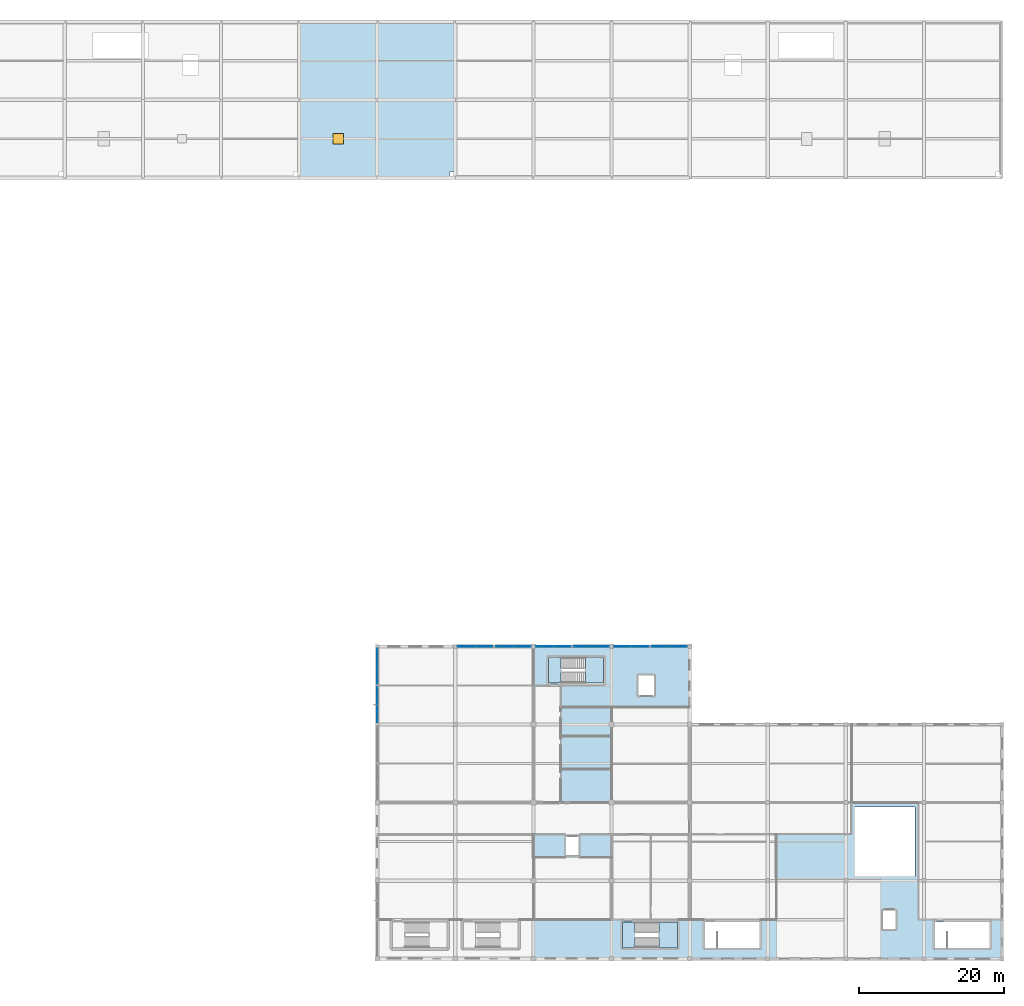
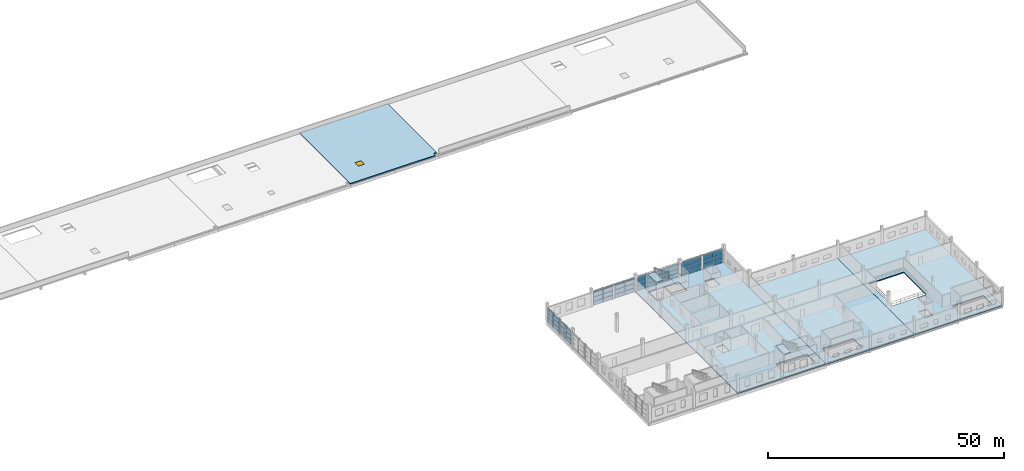
# One storey, part 12 of 24: 48 plates, 8 slabs, 1 window, 1 opening, 10 elements without a shape of their own.
"""IFC4 building model written with IfcOpenShell, lengths in metres."""

import ifcopenshell
import ifcopenshell.guid

model = None  # the IFC model being written
_history = None  # IfcOwnerHistory: only IFC2X3 demands one
_inside = {}  # id of a spatial element -> (the spatial element, [elements in it])
_under = {}  # id of a project, library or spatial element -> (it, [spatial elements below it])
_declared = {}  # id of a project -> (the project, [libraries it declares])
_typed = {}  # id of a type object -> (the type object, [elements of that type])
_made_of = {}  # id of a material, layer set ... -> (it, [elements and type objects made of it])


def new_model(schema):
    """Start an empty IFC model of exactly this schema.

    Asked for "IFC4X3", IfcOpenShell would pick the latest addendum, in which some entities
    have other attributes; the version numbers below select the first issue.
    IFC2X3 requires an IfcOwnerHistory on every rooted entity: one is made here for all.
    """
    global model, _history
    if schema == "IFC4X3":
        model = ifcopenshell.file(schema_version=(4, 3, 0, 0))
    else:
        model = ifcopenshell.file(schema=schema)
    _inside.clear()
    _under.clear()
    _declared.clear()
    _typed.clear()
    _made_of.clear()
    _history = None
    if model.schema == "IFC2X3":
        org = make("IfcOrganization", Name="unknown")
        user = make(
            "IfcPersonAndOrganization",
            ThePerson=make("IfcPerson", FamilyName="unknown"),
            TheOrganization=org,
        )
        app = make(
            "IfcApplication",
            ApplicationDeveloper=org,
            Version="unknown",
            ApplicationFullName="unknown",
            ApplicationIdentifier="unknown",
        )
        _history = make(
            "IfcOwnerHistory",
            OwningUser=user,
            OwningApplication=app,
            ChangeAction="ADDED",
            CreationDate=0,
        )
    return model


def make(cls, **values):
    """One entity of the class cls with the attributes given. An attribute that is None is left unset."""
    return model.create_entity(
        cls, **{name: value for name, value in values.items() if value is not None}
    )


def rooted(cls, **values):
    """An entity with a GlobalId (a new one), such as an element, a storey or a relation."""
    return make(cls, GlobalId=ifcopenshell.guid.new(), OwnerHistory=_history, **values)


def si_unit(unit_type, name, prefix=None):
    """IfcSIUnit, for example si_unit("LENGTHUNIT", "METRE", prefix="MILLI")."""
    return make("IfcSIUnit", UnitType=unit_type, Prefix=prefix, Name=name)


def assignment(units):
    """IfcUnitAssignment: the units of a project."""
    return None if units is None else make("IfcUnitAssignment", Units=units)


def point(xyz):
    """IfcCartesianPoint."""
    return None if xyz is None else make("IfcCartesianPoint", Coordinates=xyz)


def direction(xyz):
    """IfcDirection."""
    return None if xyz is None else make("IfcDirection", DirectionRatios=xyz)


def frame(location, z_axis=None, x_axis=None):
    """IfcAxis2Placement3D, a coordinate frame: its origin and axes. An axis left out is left unset."""
    return make(
        "IfcAxis2Placement3D",
        Location=point(location),
        Axis=direction(z_axis),
        RefDirection=direction(x_axis),
    )


def frame_2d(location, x_axis=None):
    """IfcAxis2Placement2D, a coordinate frame in the plane: its origin and x axis."""
    return make(
        "IfcAxis2Placement2D", Location=point(location), RefDirection=direction(x_axis)
    )


def origin():
    """The frame at (0, 0, 0) with its axes left unset."""
    return frame((0.0, 0.0, 0.0))


def origin_2d():
    """The frame at (0, 0) in the plane with its x axis left unset."""
    return frame_2d((0.0, 0.0))


def place(relative_to, where):
    """IfcLocalPlacement: puts the frame where relative to a parent placement (None: the world)."""
    return make(
        "IfcLocalPlacement", PlacementRelTo=relative_to, RelativePlacement=where
    )


def context(
    kind, dimensions, precision=None, world=None, true_north=None, identifier=None
):
    """IfcGeometricRepresentationContext, for example the 3D "Model" context."""
    return make(
        "IfcGeometricRepresentationContext",
        ContextIdentifier=identifier,
        ContextType=kind,
        CoordinateSpaceDimension=dimensions,
        Precision=precision,
        WorldCoordinateSystem=world,
        TrueNorth=true_north,
    )


def subcontext(parent, identifier, kind, view, scale=None):
    """IfcGeometricRepresentationSubContext, for example "Body" below "Model"."""
    return make(
        "IfcGeometricRepresentationSubContext",
        ContextIdentifier=identifier,
        ContextType=kind,
        ParentContext=parent,
        TargetScale=scale,
        TargetView=view,
    )


def project(units=None, contexts=None):
    """IfcProject with its units and contexts."""
    return rooted(
        "IfcProject",
        Name="project",
        RepresentationContexts=contexts,
        UnitsInContext=assignment(units),
    )


def spatial(cls, under=None, at=None, **own):
    """A site, building, storey or space (cls), placed at a placement, below another one or the project."""
    s = rooted(cls, ObjectPlacement=at, **own)
    if under is not None:
        _under.setdefault(under.id(), (under, []))[1].append(s)
    return s


def polyline(points):
    """IfcPolyline through the points."""
    return make("IfcPolyline", Points=[point(p) for p in points])


def profile(cls, at=None, kind="AREA", **sizes):
    """A parametric profile (cls). Its sizes go by their IFC names, for example OverallWidth=200.0."""
    return make(cls, ProfileType=kind, Position=at, **sizes)


def rectangle(**sizes):
    """IfcRectangleProfileDef."""
    return profile("IfcRectangleProfileDef", **sizes)


def outline(outer, holes=None, kind="AREA"):
    """IfcArbitraryClosedProfileDef: a profile drawn as a closed curve; with holes, ...WithVoids."""
    if holes is None:
        return make("IfcArbitraryClosedProfileDef", ProfileType=kind, OuterCurve=outer)
    return make(
        "IfcArbitraryProfileDefWithVoids",
        ProfileType=kind,
        OuterCurve=outer,
        InnerCurves=holes,
    )


def extrude(swept, where, along, depth):
    """IfcExtrudedAreaSolid: the profile swept, set in the frame where, extruded along a direction by depth."""
    return make(
        "IfcExtrudedAreaSolid",
        SweptArea=swept,
        Position=where,
        ExtrudedDirection=direction(along),
        Depth=depth,
    )


def shape(context_of_items, identifier, shape_type, items):
    """IfcShapeRepresentation: the items that make up one representation, for example the "Body"."""
    return make(
        "IfcShapeRepresentation",
        ContextOfItems=context_of_items,
        RepresentationIdentifier=identifier,
        RepresentationType=shape_type,
        Items=items,
    )


def material(Name=None, Category=None):
    """IfcMaterial."""
    return make("IfcMaterial", Name=Name, Category=Category)


def layer(
    of_material, thickness, ventilated=None, Name=None, Category=None, Priority=None
):
    """IfcMaterialLayer: one layer of a wall or slab, of a material (None: an air gap)."""
    return make(
        "IfcMaterialLayer",
        Material=of_material,
        LayerThickness=thickness,
        IsVentilated=ventilated,
        Name=Name,
        Category=Category,
        Priority=Priority,
    )


def layer_set(layers, Name=None):
    """IfcMaterialLayerSet."""
    return make("IfcMaterialLayerSet", MaterialLayers=layers, LayerSetName=Name)


def made_of(thing, what):
    """Note that an element or type object is made of a material, layer set ...; save() writes the relation."""
    if what is not None:
        _made_of.setdefault(what.id(), (what, []))[1].append(thing)
    return thing


def type_object(cls, material=None, **own):
    """A type object (cls), such as IfcWallType, which elements share."""
    return made_of(rooted(cls, **own), material)


def element(
    cls,
    number,
    at=None,
    inside=None,
    cuts=None,
    type_object=None,
    material=None,
    context=None,
    identifier="Body",
    shape_type=None,
    held_by="IfcProductDefinitionShape",
    body=None,
    shapes=None,
    **own,
):
    """One element of the class cls, such as IfcWall. Its Tag is "e" and its number.

    at: its placement. inside: the storey or other place that contains it. cuts: it is an
    opening in that element (IfcRelVoidsElement). A single representation is given by context,
    identifier, shape_type and body (its items); several are given by shapes. held_by: the class
    of the entity that holds the representations. save() writes the other relations.
    """
    e = rooted(cls, Tag="e%d" % number, ObjectPlacement=at, **own)
    if body is not None:
        shapes = [shape(context, identifier, shape_type, body)]
    if shapes is not None:
        e.Representation = make(held_by, Representations=shapes)
    if inside is not None:
        _inside.setdefault(inside.id(), (inside, []))[1].append(e)
    if cuts is not None:
        rooted(
            "IfcRelVoidsElement", RelatingBuildingElement=cuts, RelatedOpeningElement=e
        )
    if type_object is not None:
        _typed.setdefault(type_object.id(), (type_object, []))[1].append(e)
    return made_of(e, material)


def fill(opening, filler):
    """IfcRelFillsElement: the door or window that sits in an opening."""
    return rooted(
        "IfcRelFillsElement",
        RelatingOpeningElement=opening,
        RelatedBuildingElement=filler,
    )


def aggregate(whole, parts):
    """IfcRelAggregates: a whole, such as a stair, and the parts it consists of."""
    return rooted("IfcRelAggregates", RelatingObject=whole, RelatedObjects=parts)


def save(model, path):
    """Write the relations noted so far, then the file.

    IfcRelAggregates (storeys below a building ...), IfcRelContainedInSpatialStructure (elements
    in a storey), IfcRelDefinesByType, IfcRelAssociatesMaterial and IfcRelDeclares: one each for
    every whole, place, type object, material and project.
    """
    for whole, parts in _under.values():
        aggregate(whole, parts)
    for where, things in _inside.values():
        rooted(
            "IfcRelContainedInSpatialStructure",
            RelatedElements=things,
            RelatingStructure=where,
        )
    for kind, things in _typed.values():
        rooted("IfcRelDefinesByType", RelatedObjects=things, RelatingType=kind)
    for what, things in _made_of.values():
        rooted("IfcRelAssociatesMaterial", RelatedObjects=things, RelatingMaterial=what)
    for by, libraries in _declared.values():
        rooted("IfcRelDeclares", RelatingContext=by, RelatedDefinitions=libraries)
    model.write(path)


model = new_model("IFC4")

# Units and contexts
model_context = context("Model", 3, precision=1e-05, world=origin(), true_north=direction((0.0, 1.0)))
body_context = subcontext(model_context, "Body", "Model", "MODEL_VIEW")
ifc_project = project(units=[si_unit("LENGTHUNIT", "METRE"), si_unit("AREAUNIT", "SQUARE_METRE"), si_unit("VOLUMEUNIT", "CUBIC_METRE"), si_unit("PLANEANGLEUNIT", "RADIAN"), si_unit("MASSUNIT", "GRAM", prefix="KILO")], contexts=[model_context])

# Site, building, storey
site_placement = place(None, origin())
site = spatial("IfcSite", under=ifc_project, at=site_placement, CompositionType="ELEMENT")
building_placement = place(site_placement, origin())
building = spatial("IfcBuilding", under=site, at=building_placement, Name="Zwinboog Wholesale Market", CompositionType="ELEMENT")
storey_placement = place(building_placement, frame((0.0, 0.0, 10.080078125)))
storey = spatial("IfcBuildingStorey", under=building, at=storey_placement, Name="L02", CompositionType="ELEMENT", Elevation=10.080078125)

# Slabs
ifc_material_1 = material(Name="Precast concrete C45/55", Category="concrete")
ifc_layer_1 = layer(ifc_material_1, 0.2548828125)
ifc_layer_set_1 = layer_set([ifc_layer_1], Name="Precast concrete C45/55")
slab_type_1 = type_object("IfcSlabType", Name="SLT-FL-255", PredefinedType="FLOOR", material=ifc_layer_set_1)
slab_1_placement = place(storey_placement, frame((0.0, 0.0, -0.255126953125)))
element("IfcSlab", 1, at=slab_1_placement, inside=storey, type_object=slab_type_1, Name="SF-255 (SLB-L02-055)", PredefinedType="FLOOR", context=body_context, shape_type="SweptSolid", body=[
    extrude(outline(polyline([(194.39990234375, 0.0), (216.0, 0.0), (216.0, 32.39990234375), (194.39990234375, 32.39990234375), (194.39990234375, 0.0)]), holes=[polyline([(195.60009765625, 11.39990234375), (204.0, 11.39990234375), (204.0, 21.0), (195.60009765625, 21.0), (195.60009765625, 11.39990234375)]), polyline([(206.699951171875, 1.5), (214.300048828125, 1.5), (214.300048828125, 5.10009765625), (206.699951171875, 5.10009765625), (206.699951171875, 1.5)]), polyline([(199.5, 4.10009765625), (201.300048828125, 4.10009765625), (201.300048828125, 6.699951171875), (199.5, 6.699951171875), (199.5, 4.10009765625)])]), origin(), (0.0, 0.0, 1.0), 0.255126953125),
])
ifc_layer_2 = layer(ifc_material_1, 0.304931640625)
ifc_layer_set_2 = layer_set([ifc_layer_2], Name="Precast concrete C45/55")
slab_type_2 = type_object("IfcSlabType", Name="SLT-FL-305", PredefinedType="FLOOR", material=ifc_layer_set_2)
slab_2_placement = place(storey_placement, frame((0.0, 0.0, -0.30517578125)))
element("IfcSlab", 2, at=slab_2_placement, inside=storey, type_object=slab_type_2, Name="SF-305 (SLB-L02-057)", PredefinedType="FLOOR", context=body_context, shape_type="SweptSolid", body=[
    extrude(outline(polyline([(151.199951171875, 0.0), (172.800048828125, 0.0), (172.800048828125, 43.199951171875), (151.199951171875, 43.199951171875), (151.199951171875, 0.0)]), holes=[polyline([(163.5, 1.5), (171.10009765625, 1.5), (171.10009765625, 5.10009765625), (163.5, 5.10009765625), (163.5, 1.5)]), polyline([(153.300048828125, 38.10009765625), (160.89990234375, 38.10009765625), (160.89990234375, 41.699951171875), (153.300048828125, 41.699951171875), (153.300048828125, 38.10009765625)]), polyline([(155.699951171875, 14.300048828125), (157.5, 14.300048828125), (157.5, 16.89990234375), (155.699951171875, 16.89990234375), (155.699951171875, 14.300048828125)]), polyline([(165.699951171875, 36.39990234375), (167.89990234375, 36.39990234375), (167.89990234375, 39.199951171875), (165.699951171875, 39.199951171875), (165.699951171875, 36.39990234375)])]), origin(), (0.0, 0.0, 1.0), 0.30517578125),
])
ifc_layer_3 = layer(ifc_material_1, 0.33203125)
ifc_layer_set_3 = layer_set([ifc_layer_3], Name="Precast concrete C45/55")
slab_type_3 = type_object("IfcSlabType", Name="SLT-FL-332", PredefinedType="FLOOR", material=ifc_layer_set_3)
slab_3_placement = place(storey_placement, frame((0.0, 0.0, -0.33203125)))
element("IfcSlab", 3, at=slab_3_placement, inside=storey, type_object=slab_type_3, Name="SF-332 (SLB-L02-054)", PredefinedType="FLOOR", context=body_context, shape_type="SweptSolid", body=[
    extrude(outline(polyline([(172.800048828125, 0.0), (194.39990234375, 0.0), (194.39990234375, 32.39990234375), (172.800048828125, 32.39990234375), (172.800048828125, 0.0)]), holes=[polyline([(174.89990234375, 1.5), (182.5, 1.5), (182.5, 5.10009765625), (174.89990234375, 5.10009765625), (174.89990234375, 1.5)])]), origin(), (0.0, 0.0, 1.0), 0.33203125),
])

# Slab, opening, window
ifc_layer_4 = layer(ifc_material_1, 0.2958984375)
ifc_layer_set_4 = layer_set([ifc_layer_4], Name="Precast concrete C45/55")
slab_type_4 = type_object("IfcSlabType", Name="SLT-GR-296", PredefinedType="ROOF", material=ifc_layer_set_4)
slab_4_placement = place(storey_placement, frame((0.0, 0.0, -0.296142578125)))
slab_4 = element("IfcSlab", 4, at=slab_4_placement, inside=storey, type_object=slab_type_4, Name="SG-296 (SLB-L02-GRF-04)", PredefinedType="ROOF", context=body_context, shape_type="SweptSolid", body=[
    extrude(outline(polyline([(118.800048828125, 108.0), (139.60009765625, 108.0), (139.60009765625, 108.800048828125), (140.39990234375, 108.800048828125), (140.39990234375, 129.60009765625), (118.800048828125, 129.60009765625), (118.800048828125, 108.0)])), origin(), (0.0, 0.0, 1.0), 0.296142578125),
])
opening_placement = place(slab_4_placement, frame((124.199951171875, 113.39990234375, 0.0)))
opening = element("IfcOpeningElement", 5, at=opening_placement, cuts=slab_4, Name="Opening RH-06", PredefinedType="OPENING", context=body_context, shape_type="SweptSolid", body=[
    extrude(rectangle(XDim=1.39990234375, YDim=1.39990234375, at=origin_2d()), frame((0.0, 0.0, -0.010009765625)), (0.0, 0.0, 1.0), 0.316162109375),
])
ifc_material_2 = material(Name="Aerodynamic insulated aluminium smoke-vent hatch", Category="aluminium")
window_type = type_object("IfcWindowType", Name="SKT-02", PartitioningType="SINGLE_PANEL", PredefinedType="SKYLIGHT", material=ifc_material_2)
window_placement = place(opening_placement, frame((0.0, 0.0, 0.24609375)))
window = element("IfcWindow", 6, at=window_placement, inside=storey, type_object=window_type, Name="Roof Smoke-Vent Hatch RH-06", OverallHeight=1.39990234375, OverallWidth=1.39990234375, PartitioningType="SINGLE_PANEL", PredefinedType="SKYLIGHT", context=body_context, shape_type="SweptSolid", body=[
    extrude(rectangle(XDim=1.39990234375, YDim=1.39990234375, at=origin_2d()), origin(), (0.0, 0.0, 1.0), 0.050048828125),
])
fill(opening, window)

# Curtain wall, plates
ifc_material_3 = material(Name="Aluminium thermally broken curtain wall", Category="aluminium")
curtain_wall_type_1 = type_object("IfcCurtainWallType", Name="CWT-HALL-24", PredefinedType="USERDEFINED", material=ifc_material_3)
curtain_wall_1_placement = place(storey_placement, origin())
curtain_wall_1 = element("IfcCurtainWall", 7, at=curtain_wall_1_placement, inside=storey, type_object=curtain_wall_type_1, Name="CW-03 (CW-L02-159)", ObjectType="UNITIZED_CURTAIN_WALL", PredefinedType="USERDEFINED")
ifc_material_4 = material(Name="Double low-e insulated glazing", Category="glass")
ifc_layer_5 = layer(ifc_material_4, 0.031982421875)
ifc_layer_set_5 = layer_set([ifc_layer_5], Name="Double low-e insulated glazing")
plate_type = type_object("IfcPlateType", Name="CWP-IGU-32", PredefinedType="CURTAIN_PANEL", material=ifc_layer_set_5)
plate_1_placement = place(storey_placement, frame((129.60009765625, 33.918701171875, 0.06494140625), z_axis=(0.0, 0.0, 1.0), x_axis=(0.0, 1.0, 0.0)))
plate_1 = element("IfcPlate", 8, at=plate_1_placement, type_object=plate_type, Name="CW-03 panel 1.1", PredefinedType="CURTAIN_PANEL", context=body_context, shape_type="SweptSolid", body=[
    extrude(rectangle(XDim=2.367431640625, YDim=0.031982421875, at=origin_2d()), origin(), (0.0, 0.0, 1.0), 1.00244140625),
])
plate_2_placement = place(storey_placement, frame((129.60009765625, 33.918701171875, 1.13232421875), z_axis=(0.0, 0.0, 1.0), x_axis=(0.0, 1.0, 0.0)))
plate_2 = element("IfcPlate", 9, at=plate_2_placement, type_object=plate_type, Name="CW-03 panel 1.2", PredefinedType="CURTAIN_PANEL", context=body_context, shape_type="SweptSolid", body=[
    extrude(rectangle(XDim=2.367431640625, YDim=0.031982421875, at=origin_2d()), origin(), (0.0, 0.0, 1.0), 1.0849609375),
])
plate_3_placement = place(storey_placement, frame((129.60009765625, 33.918701171875, 2.282470703125), z_axis=(0.0, 0.0, 1.0), x_axis=(0.0, 1.0, 0.0)))
plate_3 = element("IfcPlate", 10, at=plate_3_placement, type_object=plate_type, Name="CW-03 panel 1.3", PredefinedType="CURTAIN_PANEL", context=body_context, shape_type="SweptSolid", body=[
    extrude(rectangle(XDim=2.367431640625, YDim=0.031982421875, at=origin_2d()), origin(), (0.0, 0.0, 1.0), 1.1826171875),
])
plate_4_placement = place(storey_placement, frame((129.60009765625, 36.351318359375, 0.06494140625), z_axis=(0.0, 0.0, 1.0), x_axis=(0.0, 1.0, 0.0)))
plate_4 = element("IfcPlate", 11, at=plate_4_placement, type_object=plate_type, Name="CW-03 panel 2.1", PredefinedType="CURTAIN_PANEL", context=body_context, shape_type="SweptSolid", body=[
    extrude(rectangle(XDim=2.367431640625, YDim=0.031982421875, at=origin_2d()), origin(), (0.0, 0.0, 1.0), 1.00244140625),
])
plate_5_placement = place(storey_placement, frame((129.60009765625, 36.351318359375, 1.13232421875), z_axis=(0.0, 0.0, 1.0), x_axis=(0.0, 1.0, 0.0)))
plate_5 = element("IfcPlate", 12, at=plate_5_placement, type_object=plate_type, Name="CW-03 panel 2.2", PredefinedType="CURTAIN_PANEL", context=body_context, shape_type="SweptSolid", body=[
    extrude(rectangle(XDim=2.367431640625, YDim=0.031982421875, at=origin_2d()), origin(), (0.0, 0.0, 1.0), 1.0849609375),
])
plate_6_placement = place(storey_placement, frame((129.60009765625, 36.351318359375, 2.282470703125), z_axis=(0.0, 0.0, 1.0), x_axis=(0.0, 1.0, 0.0)))
plate_6 = element("IfcPlate", 13, at=plate_6_placement, type_object=plate_type, Name="CW-03 panel 2.3", PredefinedType="CURTAIN_PANEL", context=body_context, shape_type="SweptSolid", body=[
    extrude(rectangle(XDim=2.367431640625, YDim=0.031982421875, at=origin_2d()), origin(), (0.0, 0.0, 1.0), 1.1826171875),
])
aggregate(curtain_wall_1, [plate_1, plate_2, plate_3, plate_4, plate_5, plate_6])

curtain_wall_type_2 = type_object("IfcCurtainWallType", Name="CWT-GAL-16", PredefinedType="USERDEFINED", material=ifc_material_3)
curtain_wall_2_placement = place(storey_placement, origin())
curtain_wall_2 = element("IfcCurtainWall", 14, at=curtain_wall_2_placement, inside=storey, type_object=curtain_wall_type_2, Name="CW-04 (CW-L02-160)", ObjectType="UNITIZED_CURTAIN_WALL", PredefinedType="USERDEFINED")
plate_7_placement = place(storey_placement, frame((129.60009765625, 39.24755859375, 0.06005859375), z_axis=(0.0, 0.0, 1.0), x_axis=(0.0, 1.0, 0.0)))
plate_7 = element("IfcPlate", 15, at=plate_7_placement, type_object=plate_type, Name="CW-04 panel 1.1", PredefinedType="CURTAIN_PANEL", context=body_context, shape_type="SweptSolid", body=[
    extrude(rectangle(XDim=2.375, YDim=0.031982421875, at=origin_2d()), origin(), (0.0, 0.0, 1.0), 1.010009765625),
])
plate_8_placement = place(storey_placement, frame((129.60009765625, 39.24755859375, 1.1298828125), z_axis=(0.0, 0.0, 1.0), x_axis=(0.0, 1.0, 0.0)))
plate_8 = element("IfcPlate", 16, at=plate_8_placement, type_object=plate_type, Name="CW-04 panel 1.2", PredefinedType="CURTAIN_PANEL", context=body_context, shape_type="SweptSolid", body=[
    extrude(rectangle(XDim=2.375, YDim=0.031982421875, at=origin_2d()), origin(), (0.0, 0.0, 1.0), 1.090087890625),
])
plate_9_placement = place(storey_placement, frame((129.60009765625, 39.24755859375, 2.280029296875), z_axis=(0.0, 0.0, 1.0), x_axis=(0.0, 1.0, 0.0)))
plate_9 = element("IfcPlate", 17, at=plate_9_placement, type_object=plate_type, Name="CW-04 panel 1.3", PredefinedType="CURTAIN_PANEL", context=body_context, shape_type="SweptSolid", body=[
    extrude(rectangle(XDim=2.375, YDim=0.031982421875, at=origin_2d()), origin(), (0.0, 0.0, 1.0), 1.18994140625),
])
plate_10_placement = place(storey_placement, frame((129.60009765625, 41.6826171875, 0.06005859375), z_axis=(0.0, 0.0, 1.0), x_axis=(0.0, 1.0, 0.0)))
plate_10 = element("IfcPlate", 18, at=plate_10_placement, type_object=plate_type, Name="CW-04 panel 2.1", PredefinedType="CURTAIN_PANEL", context=body_context, shape_type="SweptSolid", body=[
    extrude(rectangle(XDim=2.375, YDim=0.031982421875, at=origin_2d()), origin(), (0.0, 0.0, 1.0), 1.010009765625),
])
plate_11_placement = place(storey_placement, frame((129.60009765625, 41.6826171875, 1.1298828125), z_axis=(0.0, 0.0, 1.0), x_axis=(0.0, 1.0, 0.0)))
plate_11 = element("IfcPlate", 19, at=plate_11_placement, type_object=plate_type, Name="CW-04 panel 2.2", PredefinedType="CURTAIN_PANEL", context=body_context, shape_type="SweptSolid", body=[
    extrude(rectangle(XDim=2.375, YDim=0.031982421875, at=origin_2d()), origin(), (0.0, 0.0, 1.0), 1.090087890625),
])
plate_12_placement = place(storey_placement, frame((129.60009765625, 41.6826171875, 2.280029296875), z_axis=(0.0, 0.0, 1.0), x_axis=(0.0, 1.0, 0.0)))
plate_12 = element("IfcPlate", 20, at=plate_12_placement, type_object=plate_type, Name="CW-04 panel 2.3", PredefinedType="CURTAIN_PANEL", context=body_context, shape_type="SweptSolid", body=[
    extrude(rectangle(XDim=2.375, YDim=0.031982421875, at=origin_2d()), origin(), (0.0, 0.0, 1.0), 1.18994140625),
])
aggregate(curtain_wall_2, [plate_7, plate_8, plate_9, plate_10, plate_11, plate_12])

curtain_wall_type_3 = type_object("IfcCurtainWallType", Name="CWT-CAFE-22", PredefinedType="USERDEFINED", material=ifc_material_3)
curtain_wall_3_placement = place(storey_placement, origin())
curtain_wall_3 = element("IfcCurtainWall", 21, at=curtain_wall_3_placement, inside=storey, type_object=curtain_wall_type_3, Name="CW-05 (CW-L02-161)", ObjectType="STOREFRONT_GLAZING", PredefinedType="USERDEFINED")
plate_13_placement = place(storey_placement, frame((141.918701171875, 43.199951171875, 0.06494140625), z_axis=(0.0, 0.0, 1.0), x_axis=(1.0, 0.0, 0.0)))
plate_13 = element("IfcPlate", 22, at=plate_13_placement, type_object=plate_type, Name="CW-05 panel 1.1", PredefinedType="CURTAIN_PANEL", context=body_context, shape_type="SweptSolid", body=[
    extrude(rectangle(XDim=2.367431640625, YDim=0.031982421875, at=origin_2d()), origin(), (0.0, 0.0, 1.0), 1.00244140625),
])
plate_14_placement = place(storey_placement, frame((141.918701171875, 43.199951171875, 1.13232421875), z_axis=(0.0, 0.0, 1.0), x_axis=(1.0, 0.0, 0.0)))
plate_14 = element("IfcPlate", 23, at=plate_14_placement, type_object=plate_type, Name="CW-05 panel 1.2", PredefinedType="CURTAIN_PANEL", context=body_context, shape_type="SweptSolid", body=[
    extrude(rectangle(XDim=2.367431640625, YDim=0.031982421875, at=origin_2d()), origin(), (0.0, 0.0, 1.0), 1.0849609375),
])
plate_15_placement = place(storey_placement, frame((141.918701171875, 43.199951171875, 2.282470703125), z_axis=(0.0, 0.0, 1.0), x_axis=(1.0, 0.0, 0.0)))
plate_15 = element("IfcPlate", 24, at=plate_15_placement, type_object=plate_type, Name="CW-05 panel 1.3", PredefinedType="CURTAIN_PANEL", context=body_context, shape_type="SweptSolid", body=[
    extrude(rectangle(XDim=2.367431640625, YDim=0.031982421875, at=origin_2d()), origin(), (0.0, 0.0, 1.0), 1.1826171875),
])
plate_16_placement = place(storey_placement, frame((144.351318359375, 43.199951171875, 0.06494140625), z_axis=(0.0, 0.0, 1.0), x_axis=(1.0, 0.0, 0.0)))
plate_16 = element("IfcPlate", 25, at=plate_16_placement, type_object=plate_type, Name="CW-05 panel 2.1", PredefinedType="CURTAIN_PANEL", context=body_context, shape_type="SweptSolid", body=[
    extrude(rectangle(XDim=2.367431640625, YDim=0.031982421875, at=origin_2d()), origin(), (0.0, 0.0, 1.0), 1.00244140625),
])
plate_17_placement = place(storey_placement, frame((144.351318359375, 43.199951171875, 1.13232421875), z_axis=(0.0, 0.0, 1.0), x_axis=(1.0, 0.0, 0.0)))
plate_17 = element("IfcPlate", 26, at=plate_17_placement, type_object=plate_type, Name="CW-05 panel 2.2", PredefinedType="CURTAIN_PANEL", context=body_context, shape_type="SweptSolid", body=[
    extrude(rectangle(XDim=2.367431640625, YDim=0.031982421875, at=origin_2d()), origin(), (0.0, 0.0, 1.0), 1.0849609375),
])
plate_18_placement = place(storey_placement, frame((144.351318359375, 43.199951171875, 2.282470703125), z_axis=(0.0, 0.0, 1.0), x_axis=(1.0, 0.0, 0.0)))
plate_18 = element("IfcPlate", 27, at=plate_18_placement, type_object=plate_type, Name="CW-05 panel 2.3", PredefinedType="CURTAIN_PANEL", context=body_context, shape_type="SweptSolid", body=[
    extrude(rectangle(XDim=2.367431640625, YDim=0.031982421875, at=origin_2d()), origin(), (0.0, 0.0, 1.0), 1.1826171875),
])
aggregate(curtain_wall_3, [plate_13, plate_14, plate_15, plate_16, plate_17, plate_18])

curtain_wall_type_4 = type_object("IfcCurtainWallType", Name="CWT-OFF-15", PredefinedType="USERDEFINED", material=ifc_material_3)
curtain_wall_4_placement = place(storey_placement, origin())
curtain_wall_4 = element("IfcCurtainWall", 28, at=curtain_wall_4_placement, inside=storey, type_object=curtain_wall_type_4, Name="CW-06 (CW-L02-162)", ObjectType="UNITIZED_CURTAIN_WALL", PredefinedType="USERDEFINED")
plate_19_placement = place(storey_placement, frame((147.235107421875, 43.199951171875, 0.06005859375), z_axis=(0.0, 0.0, 1.0), x_axis=(1.0, 0.0, 0.0)))
plate_19 = element("IfcPlate", 29, at=plate_19_placement, type_object=plate_type, Name="CW-06 panel 1.1", PredefinedType="CURTAIN_PANEL", context=body_context, shape_type="SweptSolid", body=[
    extrude(rectangle(XDim=2.35009765625, YDim=0.031982421875, at=origin_2d()), origin(), (0.0, 0.0, 1.0), 1.010009765625),
])
plate_20_placement = place(storey_placement, frame((147.235107421875, 43.199951171875, 1.1298828125), z_axis=(0.0, 0.0, 1.0), x_axis=(1.0, 0.0, 0.0)))
plate_20 = element("IfcPlate", 30, at=plate_20_placement, type_object=plate_type, Name="CW-06 panel 1.2", PredefinedType="CURTAIN_PANEL", context=body_context, shape_type="SweptSolid", body=[
    extrude(rectangle(XDim=2.35009765625, YDim=0.031982421875, at=origin_2d()), origin(), (0.0, 0.0, 1.0), 1.090087890625),
])
plate_21_placement = place(storey_placement, frame((147.235107421875, 43.199951171875, 2.280029296875), z_axis=(0.0, 0.0, 1.0), x_axis=(1.0, 0.0, 0.0)))
plate_21 = element("IfcPlate", 31, at=plate_21_placement, type_object=plate_type, Name="CW-06 panel 1.3", PredefinedType="CURTAIN_PANEL", context=body_context, shape_type="SweptSolid", body=[
    extrude(rectangle(XDim=2.35009765625, YDim=0.031982421875, at=origin_2d()), origin(), (0.0, 0.0, 1.0), 1.18994140625),
])
plate_22_placement = place(storey_placement, frame((149.64501953125, 43.199951171875, 0.06005859375), z_axis=(0.0, 0.0, 1.0), x_axis=(1.0, 0.0, 0.0)))
plate_22 = element("IfcPlate", 32, at=plate_22_placement, type_object=plate_type, Name="CW-06 panel 2.1", PredefinedType="CURTAIN_PANEL", context=body_context, shape_type="SweptSolid", body=[
    extrude(rectangle(XDim=2.35009765625, YDim=0.031982421875, at=origin_2d()), origin(), (0.0, 0.0, 1.0), 1.010009765625),
])
plate_23_placement = place(storey_placement, frame((149.64501953125, 43.199951171875, 1.1298828125), z_axis=(0.0, 0.0, 1.0), x_axis=(1.0, 0.0, 0.0)))
plate_23 = element("IfcPlate", 33, at=plate_23_placement, type_object=plate_type, Name="CW-06 panel 2.2", PredefinedType="CURTAIN_PANEL", context=body_context, shape_type="SweptSolid", body=[
    extrude(rectangle(XDim=2.35009765625, YDim=0.031982421875, at=origin_2d()), origin(), (0.0, 0.0, 1.0), 1.090087890625),
])
plate_24_placement = place(storey_placement, frame((149.64501953125, 43.199951171875, 2.280029296875), z_axis=(0.0, 0.0, 1.0), x_axis=(1.0, 0.0, 0.0)))
plate_24 = element("IfcPlate", 34, at=plate_24_placement, type_object=plate_type, Name="CW-06 panel 2.3", PredefinedType="CURTAIN_PANEL", context=body_context, shape_type="SweptSolid", body=[
    extrude(rectangle(XDim=2.35009765625, YDim=0.031982421875, at=origin_2d()), origin(), (0.0, 0.0, 1.0), 1.18994140625),
])
aggregate(curtain_wall_4, [plate_19, plate_20, plate_21, plate_22, plate_23, plate_24])

curtain_wall_type_5 = type_object("IfcCurtainWallType", Name="CWT-STALL-18", PredefinedType="USERDEFINED", material=ifc_material_3)
curtain_wall_5_placement = place(storey_placement, origin())
curtain_wall_5 = element("IfcCurtainWall", 35, at=curtain_wall_5_placement, inside=storey, type_object=curtain_wall_type_5, Name="CW-01 (CW-L02-163)", ObjectType="STOREFRONT_GLAZING", PredefinedType="USERDEFINED")
plate_25_placement = place(storey_placement, frame((152.75634765625, 43.199951171875, 0.06494140625), z_axis=(0.0, 0.0, 1.0), x_axis=(1.0, 0.0, 0.0)))
plate_25 = element("IfcPlate", 36, at=plate_25_placement, type_object=plate_type, Name="CW-01 panel 1.1", PredefinedType="CURTAIN_PANEL", context=body_context, shape_type="SweptSolid", body=[
    extrude(rectangle(XDim=2.342529296875, YDim=0.031982421875, at=origin_2d()), origin(), (0.0, 0.0, 1.0), 1.00244140625),
])
plate_26_placement = place(storey_placement, frame((152.75634765625, 43.199951171875, 1.13232421875), z_axis=(0.0, 0.0, 1.0), x_axis=(1.0, 0.0, 0.0)))
plate_26 = element("IfcPlate", 37, at=plate_26_placement, type_object=plate_type, Name="CW-01 panel 1.2", PredefinedType="CURTAIN_PANEL", context=body_context, shape_type="SweptSolid", body=[
    extrude(rectangle(XDim=2.342529296875, YDim=0.031982421875, at=origin_2d()), origin(), (0.0, 0.0, 1.0), 1.0849609375),
])
plate_27_placement = place(storey_placement, frame((152.75634765625, 43.199951171875, 2.282470703125), z_axis=(0.0, 0.0, 1.0), x_axis=(1.0, 0.0, 0.0)))
plate_27 = element("IfcPlate", 38, at=plate_27_placement, type_object=plate_type, Name="CW-01 panel 1.3", PredefinedType="CURTAIN_PANEL", context=body_context, shape_type="SweptSolid", body=[
    extrude(rectangle(XDim=2.342529296875, YDim=0.031982421875, at=origin_2d()), origin(), (0.0, 0.0, 1.0), 1.1826171875),
])
plate_28_placement = place(storey_placement, frame((155.163818359375, 43.199951171875, 0.06494140625), z_axis=(0.0, 0.0, 1.0), x_axis=(1.0, 0.0, 0.0)))
plate_28 = element("IfcPlate", 39, at=plate_28_placement, type_object=plate_type, Name="CW-01 panel 2.1", PredefinedType="CURTAIN_PANEL", context=body_context, shape_type="SweptSolid", body=[
    extrude(rectangle(XDim=2.342529296875, YDim=0.031982421875, at=origin_2d()), origin(), (0.0, 0.0, 1.0), 1.00244140625),
])
plate_29_placement = place(storey_placement, frame((155.163818359375, 43.199951171875, 1.13232421875), z_axis=(0.0, 0.0, 1.0), x_axis=(1.0, 0.0, 0.0)))
plate_29 = element("IfcPlate", 40, at=plate_29_placement, type_object=plate_type, Name="CW-01 panel 2.2", PredefinedType="CURTAIN_PANEL", context=body_context, shape_type="SweptSolid", body=[
    extrude(rectangle(XDim=2.342529296875, YDim=0.031982421875, at=origin_2d()), origin(), (0.0, 0.0, 1.0), 1.0849609375),
])
plate_30_placement = place(storey_placement, frame((155.163818359375, 43.199951171875, 2.282470703125), z_axis=(0.0, 0.0, 1.0), x_axis=(1.0, 0.0, 0.0)))
plate_30 = element("IfcPlate", 41, at=plate_30_placement, type_object=plate_type, Name="CW-01 panel 2.3", PredefinedType="CURTAIN_PANEL", context=body_context, shape_type="SweptSolid", body=[
    extrude(rectangle(XDim=2.342529296875, YDim=0.031982421875, at=origin_2d()), origin(), (0.0, 0.0, 1.0), 1.1826171875),
])
aggregate(curtain_wall_5, [plate_25, plate_26, plate_27, plate_28, plate_29, plate_30])

curtain_wall_type_6 = type_object("IfcCurtainWallType", Name="CWT-STALL-20", PredefinedType="USERDEFINED", material=ifc_material_3)
curtain_wall_6_placement = place(storey_placement, origin())
curtain_wall_6 = element("IfcCurtainWall", 42, at=curtain_wall_6_placement, inside=storey, type_object=curtain_wall_type_6, Name="CW-02 (CW-L02-164)", ObjectType="STOREFRONT_GLAZING", PredefinedType="USERDEFINED")
plate_31_placement = place(storey_placement, frame((158.034912109375, 43.199951171875, 0.06005859375), z_axis=(0.0, 0.0, 1.0), x_axis=(1.0, 0.0, 0.0)))
plate_31 = element("IfcPlate", 43, at=plate_31_placement, type_object=plate_type, Name="CW-02 panel 1.1", PredefinedType="CURTAIN_PANEL", context=body_context, shape_type="SweptSolid", body=[
    extrude(rectangle(XDim=2.35009765625, YDim=0.031982421875, at=origin_2d()), origin(), (0.0, 0.0, 1.0), 1.010009765625),
])
plate_32_placement = place(storey_placement, frame((158.034912109375, 43.199951171875, 1.1298828125), z_axis=(0.0, 0.0, 1.0), x_axis=(1.0, 0.0, 0.0)))
plate_32 = element("IfcPlate", 44, at=plate_32_placement, type_object=plate_type, Name="CW-02 panel 1.2", PredefinedType="CURTAIN_PANEL", context=body_context, shape_type="SweptSolid", body=[
    extrude(rectangle(XDim=2.35009765625, YDim=0.031982421875, at=origin_2d()), origin(), (0.0, 0.0, 1.0), 1.090087890625),
])
plate_33_placement = place(storey_placement, frame((158.034912109375, 43.199951171875, 2.280029296875), z_axis=(0.0, 0.0, 1.0), x_axis=(1.0, 0.0, 0.0)))
plate_33 = element("IfcPlate", 45, at=plate_33_placement, type_object=plate_type, Name="CW-02 panel 1.3", PredefinedType="CURTAIN_PANEL", context=body_context, shape_type="SweptSolid", body=[
    extrude(rectangle(XDim=2.35009765625, YDim=0.031982421875, at=origin_2d()), origin(), (0.0, 0.0, 1.0), 1.18994140625),
])
plate_34_placement = place(storey_placement, frame((160.445068359375, 43.199951171875, 0.06005859375), z_axis=(0.0, 0.0, 1.0), x_axis=(1.0, 0.0, 0.0)))
plate_34 = element("IfcPlate", 46, at=plate_34_placement, type_object=plate_type, Name="CW-02 panel 2.1", PredefinedType="CURTAIN_PANEL", context=body_context, shape_type="SweptSolid", body=[
    extrude(rectangle(XDim=2.35009765625, YDim=0.031982421875, at=origin_2d()), origin(), (0.0, 0.0, 1.0), 1.010009765625),
])
plate_35_placement = place(storey_placement, frame((160.445068359375, 43.199951171875, 1.1298828125), z_axis=(0.0, 0.0, 1.0), x_axis=(1.0, 0.0, 0.0)))
plate_35 = element("IfcPlate", 47, at=plate_35_placement, type_object=plate_type, Name="CW-02 panel 2.2", PredefinedType="CURTAIN_PANEL", context=body_context, shape_type="SweptSolid", body=[
    extrude(rectangle(XDim=2.35009765625, YDim=0.031982421875, at=origin_2d()), origin(), (0.0, 0.0, 1.0), 1.090087890625),
])
plate_36_placement = place(storey_placement, frame((160.445068359375, 43.199951171875, 2.280029296875), z_axis=(0.0, 0.0, 1.0), x_axis=(1.0, 0.0, 0.0)))
plate_36 = element("IfcPlate", 48, at=plate_36_placement, type_object=plate_type, Name="CW-02 panel 2.3", PredefinedType="CURTAIN_PANEL", context=body_context, shape_type="SweptSolid", body=[
    extrude(rectangle(XDim=2.35009765625, YDim=0.031982421875, at=origin_2d()), origin(), (0.0, 0.0, 1.0), 1.18994140625),
])
aggregate(curtain_wall_6, [plate_31, plate_32, plate_33, plate_34, plate_35, plate_36])

curtain_wall_7_placement = place(storey_placement, origin())
curtain_wall_7 = element("IfcCurtainWall", 49, at=curtain_wall_7_placement, inside=storey, type_object=curtain_wall_type_1, Name="CW-03 (CW-L02-165)", ObjectType="UNITIZED_CURTAIN_WALL", PredefinedType="USERDEFINED")
plate_37_placement = place(storey_placement, frame((163.55615234375, 43.199951171875, 0.06494140625), z_axis=(0.0, 0.0, 1.0), x_axis=(1.0, 0.0, 0.0)))
plate_37 = element("IfcPlate", 50, at=plate_37_placement, type_object=plate_type, Name="CW-03 panel 1.1", PredefinedType="CURTAIN_PANEL", context=body_context, shape_type="SweptSolid", body=[
    extrude(rectangle(XDim=2.342529296875, YDim=0.031982421875, at=origin_2d()), origin(), (0.0, 0.0, 1.0), 1.00244140625),
])
plate_38_placement = place(storey_placement, frame((163.55615234375, 43.199951171875, 1.13232421875), z_axis=(0.0, 0.0, 1.0), x_axis=(1.0, 0.0, 0.0)))
plate_38 = element("IfcPlate", 51, at=plate_38_placement, type_object=plate_type, Name="CW-03 panel 1.2", PredefinedType="CURTAIN_PANEL", context=body_context, shape_type="SweptSolid", body=[
    extrude(rectangle(XDim=2.342529296875, YDim=0.031982421875, at=origin_2d()), origin(), (0.0, 0.0, 1.0), 1.0849609375),
])
plate_39_placement = place(storey_placement, frame((163.55615234375, 43.199951171875, 2.282470703125), z_axis=(0.0, 0.0, 1.0), x_axis=(1.0, 0.0, 0.0)))
plate_39 = element("IfcPlate", 52, at=plate_39_placement, type_object=plate_type, Name="CW-03 panel 1.3", PredefinedType="CURTAIN_PANEL", context=body_context, shape_type="SweptSolid", body=[
    extrude(rectangle(XDim=2.342529296875, YDim=0.031982421875, at=origin_2d()), origin(), (0.0, 0.0, 1.0), 1.1826171875),
])
plate_40_placement = place(storey_placement, frame((165.9638671875, 43.199951171875, 0.06494140625), z_axis=(0.0, 0.0, 1.0), x_axis=(1.0, 0.0, 0.0)))
plate_40 = element("IfcPlate", 53, at=plate_40_placement, type_object=plate_type, Name="CW-03 panel 2.1", PredefinedType="CURTAIN_PANEL", context=body_context, shape_type="SweptSolid", body=[
    extrude(rectangle(XDim=2.342529296875, YDim=0.031982421875, at=origin_2d()), origin(), (0.0, 0.0, 1.0), 1.00244140625),
])
plate_41_placement = place(storey_placement, frame((165.9638671875, 43.199951171875, 1.13232421875), z_axis=(0.0, 0.0, 1.0), x_axis=(1.0, 0.0, 0.0)))
plate_41 = element("IfcPlate", 54, at=plate_41_placement, type_object=plate_type, Name="CW-03 panel 2.2", PredefinedType="CURTAIN_PANEL", context=body_context, shape_type="SweptSolid", body=[
    extrude(rectangle(XDim=2.342529296875, YDim=0.031982421875, at=origin_2d()), origin(), (0.0, 0.0, 1.0), 1.0849609375),
])
plate_42_placement = place(storey_placement, frame((165.9638671875, 43.199951171875, 2.282470703125), z_axis=(0.0, 0.0, 1.0), x_axis=(1.0, 0.0, 0.0)))
plate_42 = element("IfcPlate", 55, at=plate_42_placement, type_object=plate_type, Name="CW-03 panel 2.3", PredefinedType="CURTAIN_PANEL", context=body_context, shape_type="SweptSolid", body=[
    extrude(rectangle(XDim=2.342529296875, YDim=0.031982421875, at=origin_2d()), origin(), (0.0, 0.0, 1.0), 1.1826171875),
])
aggregate(curtain_wall_7, [plate_37, plate_38, plate_39, plate_40, plate_41, plate_42])

curtain_wall_8_placement = place(storey_placement, origin())
curtain_wall_8 = element("IfcCurtainWall", 56, at=curtain_wall_8_placement, inside=storey, type_object=curtain_wall_type_2, Name="CW-04 (CW-L02-166)", ObjectType="UNITIZED_CURTAIN_WALL", PredefinedType="USERDEFINED")
plate_43_placement = place(storey_placement, frame((168.8349609375, 43.199951171875, 0.06005859375), z_axis=(0.0, 0.0, 1.0), x_axis=(1.0, 0.0, 0.0)))
plate_43 = element("IfcPlate", 57, at=plate_43_placement, type_object=plate_type, Name="CW-04 panel 1.1", PredefinedType="CURTAIN_PANEL", context=body_context, shape_type="SweptSolid", body=[
    extrude(rectangle(XDim=2.35009765625, YDim=0.031982421875, at=origin_2d()), origin(), (0.0, 0.0, 1.0), 1.010009765625),
])
plate_44_placement = place(storey_placement, frame((168.8349609375, 43.199951171875, 1.1298828125), z_axis=(0.0, 0.0, 1.0), x_axis=(1.0, 0.0, 0.0)))
plate_44 = element("IfcPlate", 58, at=plate_44_placement, type_object=plate_type, Name="CW-04 panel 1.2", PredefinedType="CURTAIN_PANEL", context=body_context, shape_type="SweptSolid", body=[
    extrude(rectangle(XDim=2.35009765625, YDim=0.031982421875, at=origin_2d()), origin(), (0.0, 0.0, 1.0), 1.090087890625),
])
plate_45_placement = place(storey_placement, frame((168.8349609375, 43.199951171875, 2.280029296875), z_axis=(0.0, 0.0, 1.0), x_axis=(1.0, 0.0, 0.0)))
plate_45 = element("IfcPlate", 59, at=plate_45_placement, type_object=plate_type, Name="CW-04 panel 1.3", PredefinedType="CURTAIN_PANEL", context=body_context, shape_type="SweptSolid", body=[
    extrude(rectangle(XDim=2.35009765625, YDim=0.031982421875, at=origin_2d()), origin(), (0.0, 0.0, 1.0), 1.18994140625),
])
plate_46_placement = place(storey_placement, frame((171.2451171875, 43.199951171875, 0.06005859375), z_axis=(0.0, 0.0, 1.0), x_axis=(1.0, 0.0, 0.0)))
plate_46 = element("IfcPlate", 60, at=plate_46_placement, type_object=plate_type, Name="CW-04 panel 2.1", PredefinedType="CURTAIN_PANEL", context=body_context, shape_type="SweptSolid", body=[
    extrude(rectangle(XDim=2.35009765625, YDim=0.031982421875, at=origin_2d()), origin(), (0.0, 0.0, 1.0), 1.010009765625),
])
plate_47_placement = place(storey_placement, frame((171.2451171875, 43.199951171875, 1.1298828125), z_axis=(0.0, 0.0, 1.0), x_axis=(1.0, 0.0, 0.0)))
plate_47 = element("IfcPlate", 61, at=plate_47_placement, type_object=plate_type, Name="CW-04 panel 2.2", PredefinedType="CURTAIN_PANEL", context=body_context, shape_type="SweptSolid", body=[
    extrude(rectangle(XDim=2.35009765625, YDim=0.031982421875, at=origin_2d()), origin(), (0.0, 0.0, 1.0), 1.090087890625),
])
plate_48_placement = place(storey_placement, frame((171.2451171875, 43.199951171875, 2.280029296875), z_axis=(0.0, 0.0, 1.0), x_axis=(1.0, 0.0, 0.0)))
plate_48 = element("IfcPlate", 62, at=plate_48_placement, type_object=plate_type, Name="CW-04 panel 2.3", PredefinedType="CURTAIN_PANEL", context=body_context, shape_type="SweptSolid", body=[
    extrude(rectangle(XDim=2.35009765625, YDim=0.031982421875, at=origin_2d()), origin(), (0.0, 0.0, 1.0), 1.18994140625),
])
aggregate(curtain_wall_8, [plate_43, plate_44, plate_45, plate_46, plate_47, plate_48])

# Stair, slabs
ifc_material_5 = material(Name="Concrete C40/50", Category="concrete")
stair_type_1 = type_object("IfcStairType", Name="STT-DOG-145", PredefinedType="HALF_TURN_STAIR", material=ifc_material_5)
stair_1_placement = place(storey_placement, origin())
stair_1 = element("IfcStair", 63, at=stair_1_placement, inside=storey, type_object=stair_type_1, Name="Enclosed Escape Stair ST-11C", PredefinedType="HALF_TURN_STAIR")
ifc_layer_6 = layer(ifc_material_5, 0.199951171875)
ifc_layer_set_6 = layer_set([ifc_layer_6], Name="Concrete C40/50")
slab_type_5 = type_object("IfcSlabType", Name="SLT-LND-200", PredefinedType="LANDING", material=ifc_layer_set_6)
slab_5_placement = place(storey_placement, frame((0.0, 0.0, 2.139892578125)))
slab_5 = element("IfcSlab", 64, at=slab_5_placement, type_object=slab_type_5, Name="ST-11C landing 1", PredefinedType="LANDING", context=body_context, shape_type="SweptSolid", body=[
    extrude(outline(polyline([(168.580078125, 1.5048828125), (171.094970703125, 1.5048828125), (171.094970703125, 5.094970703125), (168.580078125, 5.094970703125), (168.580078125, 1.5048828125)])), origin(), (0.0, 0.0, 1.0), 0.199951171875),
])
slab_6_placement = place(storey_placement, frame((0.0, 0.0, 4.47998046875)))
slab_6 = element("IfcSlab", 65, at=slab_6_placement, type_object=slab_type_5, Name="ST-11C landing 2", PredefinedType="LANDING", context=body_context, shape_type="SweptSolid", body=[
    extrude(outline(polyline([(163.5048828125, 1.5048828125), (165.219970703125, 1.5048828125), (165.219970703125, 5.094970703125), (163.5048828125, 5.094970703125), (163.5048828125, 1.5048828125)])), origin(), (0.0, 0.0, 1.0), 0.199951171875),
])
aggregate(stair_1, [slab_5, slab_6])

stair_type_2 = type_object("IfcStairType", Name="STT-DOG-160", PredefinedType="HALF_TURN_STAIR", material=ifc_material_5)
stair_2_placement = place(storey_placement, origin())
stair_2 = element("IfcStair", 66, at=stair_2_placement, inside=storey, type_object=stair_type_2, Name="Enclosed Escape Stair ST-12C", PredefinedType="HALF_TURN_STAIR")
ifc_layer_7 = layer(ifc_material_5, 0.219970703125)
ifc_layer_set_7 = layer_set([ifc_layer_7], Name="Concrete C40/50")
slab_type_6 = type_object("IfcSlabType", Name="SLT-LND-220", PredefinedType="LANDING", material=ifc_layer_set_7)
slab_7_placement = place(storey_placement, frame((0.0, 0.0, 2.119873046875)))
slab_7 = element("IfcSlab", 67, at=slab_7_placement, type_object=slab_type_6, Name="ST-12C landing 1", PredefinedType="LANDING", context=body_context, shape_type="SweptSolid", body=[
    extrude(outline(polyline([(158.3798828125, 38.10498046875), (160.89501953125, 38.10498046875), (160.89501953125, 41.695068359375), (158.3798828125, 41.695068359375), (158.3798828125, 38.10498046875)])), origin(), (0.0, 0.0, 1.0), 0.219970703125),
])
slab_8_placement = place(storey_placement, frame((0.0, 0.0, 4.4599609375)))
slab_8 = element("IfcSlab", 68, at=slab_8_placement, type_object=slab_type_6, Name="ST-12C landing 2", PredefinedType="LANDING", context=body_context, shape_type="SweptSolid", body=[
    extrude(outline(polyline([(153.304931640625, 38.10498046875), (155.02001953125, 38.10498046875), (155.02001953125, 41.695068359375), (153.304931640625, 41.695068359375), (153.304931640625, 38.10498046875)])), origin(), (0.0, 0.0, 1.0), 0.219970703125),
])
aggregate(stair_2, [slab_7, slab_8])

save(model, "model.ifc")
